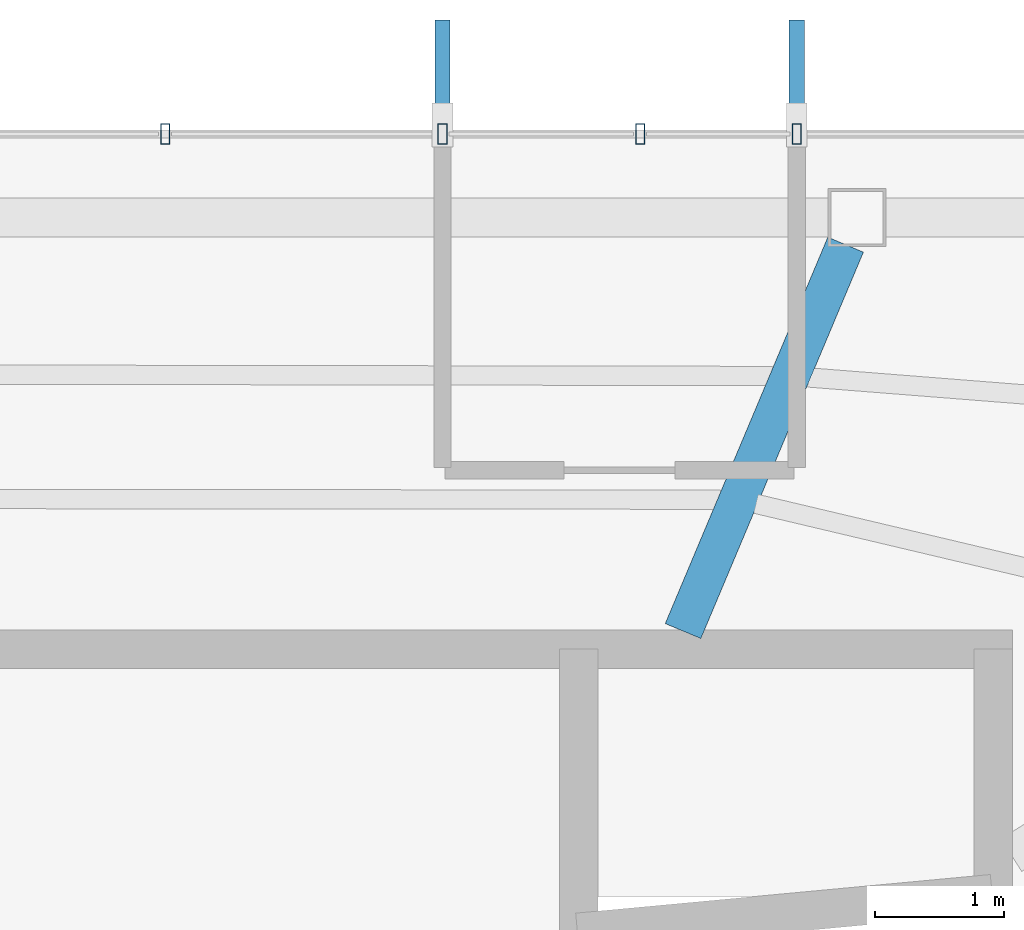
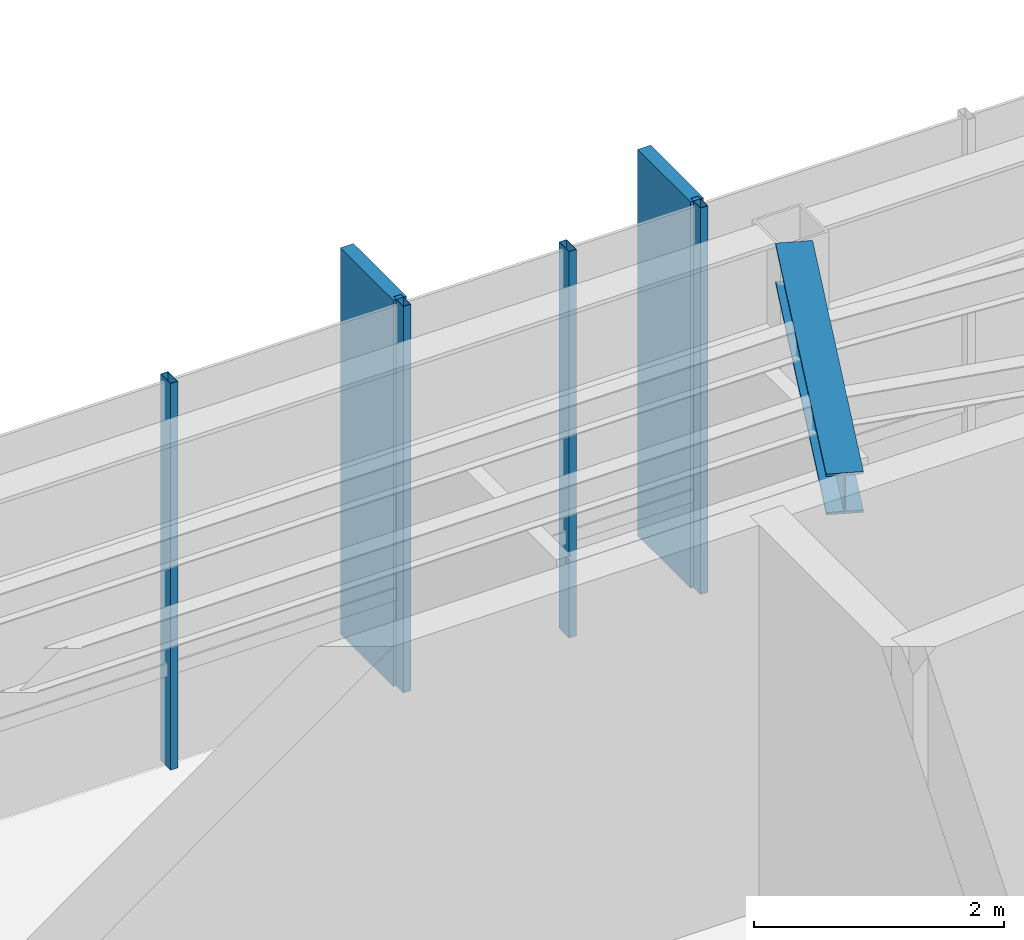
# One storey, part 13 of 21: 6 members, 1 beam, 1 element without a shape of its own.
"""IFC4 building model written with IfcOpenShell, lengths in metres."""

from ifc_helpers import new_model, si_unit, direction, frame, origin, origin_2d, place, context, subcontext, project, spatial, rectangle, hollow_rectangle, i_section, extrude, material, layer, layer_set, material_profile, profile_set, type_object, element, aggregate, save


model = new_model("IFC4")

# Units and contexts
model_context = context("Model", 3, precision=1e-05, world=origin(), true_north=direction((0.0, 1.0)))
body_context = subcontext(model_context, "Body", "Model", "MODEL_VIEW")
ifc_project = project(units=[si_unit("LENGTHUNIT", "METRE"), si_unit("AREAUNIT", "SQUARE_METRE"), si_unit("VOLUMEUNIT", "CUBIC_METRE"), si_unit("PLANEANGLEUNIT", "RADIAN"), si_unit("MASSUNIT", "GRAM", prefix="KILO")], contexts=[model_context])

# Site, building, storey
site_placement = place(None, origin())
site = spatial("IfcSite", under=ifc_project, at=site_placement, CompositionType="ELEMENT")
building_placement = place(site_placement, origin())
building = spatial("IfcBuilding", under=site, at=building_placement, Name="Zarrinselat Tower", CompositionType="ELEMENT")
storey_placement = place(building_placement, frame((0.0, 0.0, 299.199951171875)))
storey = spatial("IfcBuildingStorey", under=building, at=storey_placement, Name="L77", CompositionType="ELEMENT", Elevation=299.199951171875)

# Beam
ifc_material_1 = material(Name="Steel S355J2", Category="steel")
ifc_material_profile_1 = material_profile(ifc_material_1, i_section(OverallWidth=0.300048828125, OverallDepth=0.39990234375, WebThickness=0.013427734375, FlangeThickness=0.02392578125, at=origin_2d()), Name="HEB 400")
ifc_profile_set_1 = profile_set([ifc_material_profile_1], Name="Steel S355J2")
beam_type = type_object("IfcBeamType", Name="BM-HEB400", PredefinedType="BEAM", material=ifc_profile_set_1)
beam_placement = place(storey_placement, frame((45.800048828125, 43.5400390625, 3.580078125), z_axis=(0.387792124135, 0.921746857038, 0.0), x_axis=(-0.921746857038, 0.387792124135, 0.0)))
element("IfcBeam", 1, at=beam_placement, inside=storey, type_object=beam_type, Name="L77 Radial Primary Girder RG02", PredefinedType="BEAM", context=body_context, shape_type="SweptSolid", body=[
    extrude(i_section(OverallWidth=0.300048828125, OverallDepth=0.39990234375, WebThickness=0.013427734375, FlangeThickness=0.02392578125, at=origin_2d()), origin(), (0.0, 0.0, 1.0), 3.25537109375),
])

# Curtain wall, members
ifc_material_2 = material(Name="Extruded Aluminium Alloy EN AW-6063 T6", Category="aluminium")
ifc_layer = layer(ifc_material_2, 0.169921875)
ifc_layer_set = layer_set([ifc_layer], Name="Extruded Aluminium Alloy EN AW-6063 T6")
curtain_wall_type = type_object("IfcCurtainWallType", Name="CWS-RES", PredefinedType="NOTDEFINED", material=ifc_layer_set)
curtain_wall_placement = place(storey_placement, origin())
curtain_wall = element("IfcCurtainWall", 2, at=curtain_wall_placement, inside=storey, type_object=curtain_wall_type, Name="L77 Unitised Curtain Wall CW-L77-E01", PredefinedType="NOTDEFINED")
ifc_material_3 = material(Name="Extruded Aluminium Alloy EN AW-6063 T6", Category="aluminium")
ifc_material_profile_2 = material_profile(ifc_material_3, hollow_rectangle(XDim=0.070068359375, YDim=0.159912109375, WallThickness=0.00390625, at=origin_2d()), Name="RHS 160x70x4")
ifc_profile_set_2 = profile_set([ifc_material_profile_2], Name="Extruded Aluminium Alloy EN AW-6063 T6")
member_type_1 = type_object("IfcMemberType", Name="MEM-CW-MUL2", PredefinedType="MULLION", material=ifc_profile_set_2)
member_1_placement = place(storey_placement, frame((46.68212890625, 47.39990234375, 0.0), z_axis=(0.0, 0.0, 1.0), x_axis=(-1.0, 0.0, 0.0)))
member_1 = element("IfcMember", 3, at=member_1_placement, type_object=member_type_1, Name="CW-L77-E01 Mullion 3", PredefinedType="MULLION", context=body_context, shape_type="SweptSolid", body=[
    extrude(hollow_rectangle(XDim=0.070068359375, YDim=0.159912109375, WallThickness=0.00390625, at=origin_2d()), origin(), (0.0, 0.0, 1.0), 3.780029296875),
])
member_2_placement = place(storey_placement, frame((45.466064453125, 47.39990234375, 0.0), z_axis=(0.0, 0.0, 1.0), x_axis=(-1.0, 0.0, 0.0)))
member_2 = element("IfcMember", 4, at=member_2_placement, type_object=member_type_1, Name="CW-L77-E01 Mullion 4", PredefinedType="MULLION", context=body_context, shape_type="SweptSolid", body=[
    extrude(hollow_rectangle(XDim=0.070068359375, YDim=0.159912109375, WallThickness=0.00390625, at=origin_2d()), origin(), (0.0, 0.0, 1.0), 3.780029296875),
])
member_3_placement = place(storey_placement, frame((43.93212890625, 47.39990234375, 0.0), z_axis=(0.0, 0.0, 1.0), x_axis=(-1.0, 0.0, 0.0)))
member_3 = element("IfcMember", 5, at=member_3_placement, type_object=member_type_1, Name="CW-L77-E01 Mullion 5", PredefinedType="MULLION", context=body_context, shape_type="SweptSolid", body=[
    extrude(hollow_rectangle(XDim=0.070068359375, YDim=0.159912109375, WallThickness=0.00390625, at=origin_2d()), origin(), (0.0, 0.0, 1.0), 3.780029296875),
])
member_4_placement = place(storey_placement, frame((41.77783203125, 47.39990234375, 0.0), z_axis=(0.0, 0.0, 1.0), x_axis=(-1.0, 0.0, 0.0)))
member_4 = element("IfcMember", 6, at=member_4_placement, type_object=member_type_1, Name="CW-L77-E01 Mullion 6", PredefinedType="MULLION", context=body_context, shape_type="SweptSolid", body=[
    extrude(hollow_rectangle(XDim=0.070068359375, YDim=0.159912109375, WallThickness=0.00390625, at=origin_2d()), origin(), (0.0, 0.0, 1.0), 3.780029296875),
])
ifc_material_4 = material(Name="Honed Cream Travertine Stone", Category="masonry")
ifc_material_profile_3 = material_profile(ifc_material_4, rectangle(XDim=0.1201171875, YDim=0.85009765625, at=origin_2d()), Name="FIN 850x120")
ifc_profile_set_3 = profile_set([ifc_material_profile_3], Name="Honed Cream Travertine Stone")
member_type_2 = type_object("IfcMemberType", Name="MEM-STONE-FIN", PredefinedType="USERDEFINED", material=ifc_profile_set_3)
member_5_placement = place(storey_placement, frame((46.68212890625, 47.860107421875, 0.0), z_axis=(0.0, 0.0, 1.0), x_axis=(1.0, 0.0, 0.0)))
member_5 = element("IfcMember", 7, at=member_5_placement, type_object=member_type_2, Name="L77 Stone Shading Fin CW-L77-E01-03", ObjectType="FIN", PredefinedType="USERDEFINED", context=body_context, shape_type="SweptSolid", body=[
    extrude(rectangle(XDim=0.1201171875, YDim=0.85009765625, at=origin_2d()), origin(), (0.0, 0.0, 1.0), 3.780029296875),
])
member_6_placement = place(storey_placement, frame((43.93212890625, 47.860107421875, 0.0), z_axis=(0.0, 0.0, 1.0), x_axis=(1.0, 0.0, 0.0)))
member_6 = element("IfcMember", 8, at=member_6_placement, type_object=member_type_2, Name="L77 Stone Shading Fin CW-L77-E01-05", ObjectType="FIN", PredefinedType="USERDEFINED", context=body_context, shape_type="SweptSolid", body=[
    extrude(rectangle(XDim=0.1201171875, YDim=0.85009765625, at=origin_2d()), origin(), (0.0, 0.0, 1.0), 3.780029296875),
])
aggregate(curtain_wall, [member_1, member_5, member_2, member_3, member_6, member_4])

save(model, "model.ifc")
